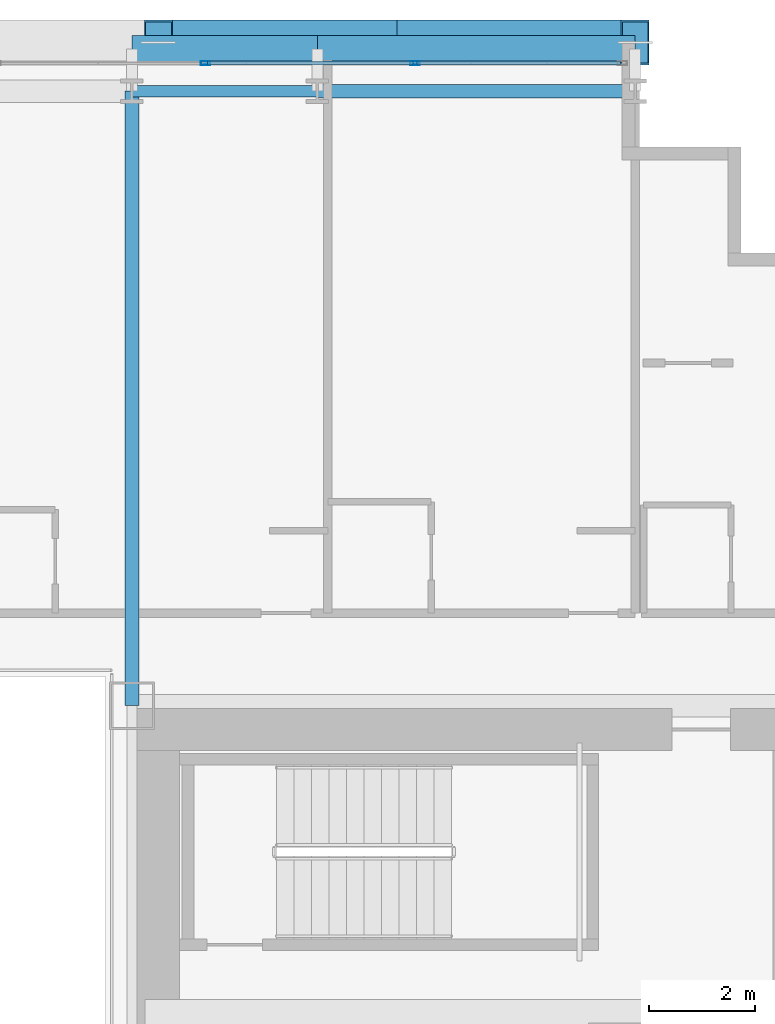
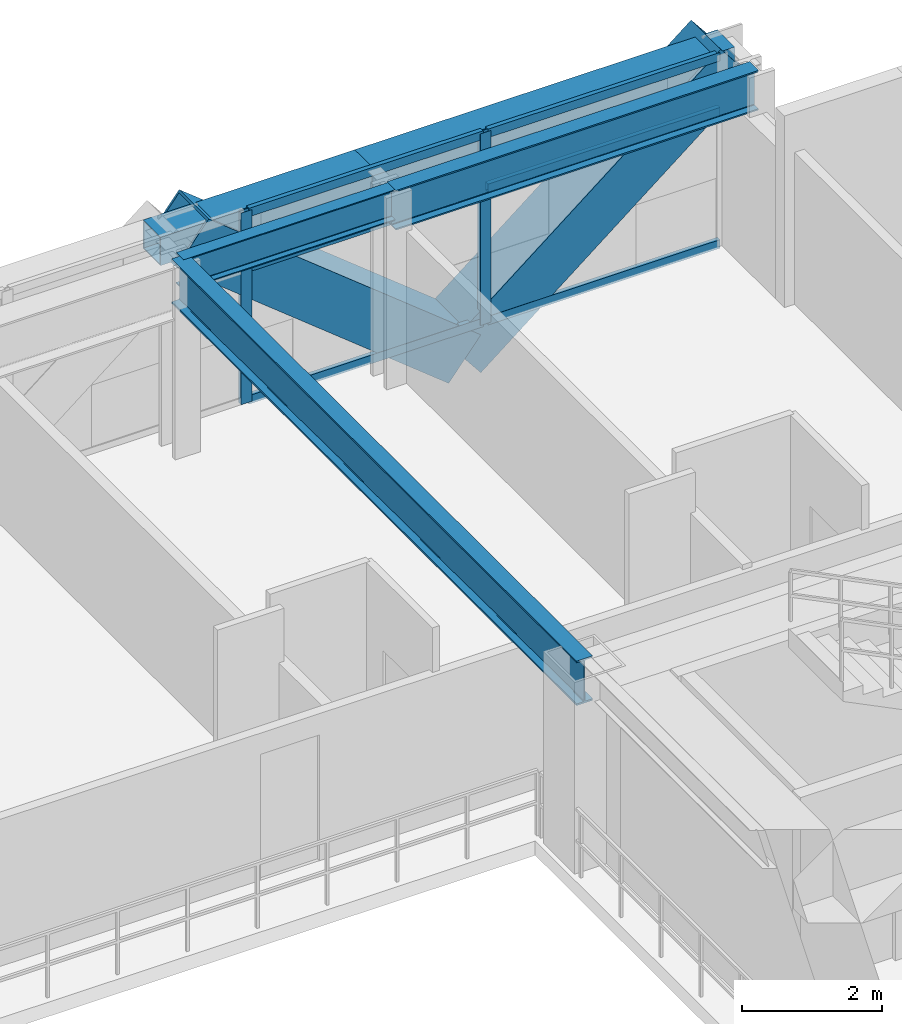
# One storey, part 21 of 38: 10 members, 5 beams, 1 element without a shape of its own.
"""IFC4 building model written with IfcOpenShell, lengths in metres."""

from ifc_helpers import new_model, si_unit, direction, frame, origin, origin_2d, place, context, subcontext, project, spatial, hollow_rectangle, i_section, extrude, source, transform, mapped, material, layer, layer_set, material_profile, profile_set, type_object, element, aggregate, save


model = new_model("IFC4")

# Units and contexts
model_context = context("Model", 3, precision=1e-05, world=origin(), true_north=direction((0.0, 1.0)))
body_context = subcontext(model_context, "Body", "Model", "MODEL_VIEW")
ifc_project = project(units=[si_unit("LENGTHUNIT", "METRE"), si_unit("AREAUNIT", "SQUARE_METRE"), si_unit("VOLUMEUNIT", "CUBIC_METRE"), si_unit("PLANEANGLEUNIT", "RADIAN"), si_unit("MASSUNIT", "GRAM", prefix="KILO")], contexts=[model_context])

# Site, building, storey
site_placement = place(None, origin())
site = spatial("IfcSite", under=ifc_project, at=site_placement, CompositionType="ELEMENT")
building_placement = place(site_placement, origin())
building = spatial("IfcBuilding", under=site, at=building_placement, Name="Ocotamira Hotel", CompositionType="ELEMENT")
storey_placement = place(building_placement, frame((0.0, 0.0, 60.0)))
storey = spatial("IfcBuildingStorey", under=building, at=storey_placement, Name="L14", CompositionType="ELEMENT", Elevation=60.0)

# Beams
ifc_material_1 = material(Name="Steel ASTM A992 Grade 50", Category="steel")
ifc_material_profile_1 = material_profile(ifc_material_1, i_section(OverallWidth=0.256103515625, OverallDepth=0.693115234375, WebThickness=0.014404296875, FlangeThickness=0.023681640625, FilletRadius=0.01611328125, at=origin_2d()), Name="W27X114")
ifc_profile_set_1 = profile_set([ifc_material_profile_1], Name="Steel ASTM A992 Grade 50")
beam_type_1 = type_object("IfcBeamType", Name="BM-PRIM-W27X114", PredefinedType="BEAM", material=ifc_profile_set_1)
shared_shape_1 = source(origin(), body_context, "Body", "SweptSolid", [
    extrude(i_section(OverallWidth=0.256103515625, OverallDepth=0.693115234375, WebThickness=0.014404296875, FlangeThickness=0.023681640625, FilletRadius=0.01611328125, at=origin_2d()), origin(), (0.0, 0.0, 1.0), 6.0),
])
beam_1_placement = place(storey_placement, frame((44.0, 49.050048828125, 3.00341796875), z_axis=(1.0, 0.0, 0.0), x_axis=(0.0, 1.0, 0.0)))
element("IfcBeam", 1, at=beam_1_placement, inside=storey, type_object=beam_type_1, Name="L14 Girder Y49.05 X44-50", PredefinedType="BEAM", context=body_context, shape_type="MappedRepresentation", body=[
    mapped(shared_shape_1, transform((0.0, 0.0, 0.0), scale=1.0)),
])
ifc_material_profile_2 = material_profile(ifc_material_1, i_section(OverallWidth=0.2099609375, OverallDepth=0.537109375, WebThickness=0.010986328125, FlangeThickness=0.017333984375, FilletRadius=0.012939453125, at=origin_2d()), Name="W21X68")
ifc_profile_set_2 = profile_set([ifc_material_profile_2], Name="Steel ASTM A992 Grade 50")
beam_type_2 = type_object("IfcBeamType", Name="BM-SEC-W21X68", PredefinedType="JOIST", material=ifc_profile_set_2)
shared_shape_2 = source(origin(), body_context, "Body", "SweptSolid", [
    extrude(i_section(OverallWidth=0.2099609375, OverallDepth=0.537109375, WebThickness=0.010986328125, FlangeThickness=0.017333984375, FilletRadius=0.012939453125, at=origin_2d()), origin(), (0.0, 0.0, 1.0), 3.5),
])
beam_2_placement = place(storey_placement, frame((40.5, 49.050048828125, 3.08154296875), z_axis=(1.0, 0.0, 0.0), x_axis=(0.0, 1.0, 0.0)))
element("IfcBeam", 2, at=beam_2_placement, inside=storey, type_object=beam_type_2, Name="L14 Girder Y49.05 X40.5-44", PredefinedType="JOIST", context=body_context, shape_type="MappedRepresentation", body=[
    mapped(shared_shape_2, transform((0.0, 0.0, 0.0), scale=1.0)),
])
ifc_material_profile_3 = material_profile(ifc_material_1, i_section(OverallWidth=0.26611328125, OverallDepth=0.779052734375, WebThickness=0.0166015625, FlangeThickness=0.030029296875, FilletRadius=0.01806640625, at=origin_2d()), Name="W30X148")
ifc_profile_set_3 = profile_set([ifc_material_profile_3], Name="Steel ASTM A992 Grade 50")
beam_type_3 = type_object("IfcBeamType", Name="BM-GIRD-W30X148", PredefinedType="BEAM", material=ifc_profile_set_3)
shared_shape_3 = source(origin(), body_context, "Body", "SweptSolid", [
    extrude(i_section(OverallWidth=0.26611328125, OverallDepth=0.779052734375, WebThickness=0.0166015625, FlangeThickness=0.030029296875, FilletRadius=0.01806640625, at=origin_2d()), origin(), (0.0, 0.0, 1.0), 11.60009765625),
])
beam_3_placement = place(storey_placement, frame((40.5, 37.449951171875, 2.96044921875), z_axis=(0.0, 1.0, 0.0), x_axis=(-1.0, 0.0, 0.0)))
element("IfcBeam", 3, at=beam_3_placement, inside=storey, type_object=beam_type_3, Name="L14 Beam X40.5 Y37.45-49.05", PredefinedType="BEAM", context=body_context, shape_type="MappedRepresentation", body=[
    mapped(shared_shape_3, transform((0.0, 0.0, 0.0), scale=1.0)),
])
ifc_material_2 = material(Name="Steel ASTM A500 Grade C", Category="steel")
ifc_material_profile_4 = material_profile(ifc_material_2, hollow_rectangle(XDim=0.5, YDim=0.5, WallThickness=0.02001953125, at=origin_2d()), Name="HSS500X500X20")
ifc_profile_set_4 = profile_set([ifc_material_profile_4], Name="Steel ASTM A500 Grade C")
beam_type_4 = type_object("IfcBeamType", Name="BM-SPAN-HSS500", PredefinedType="USERDEFINED", material=ifc_profile_set_4)
shared_shape_4 = source(origin(), body_context, "Body", "SweptSolid", [
    extrude(hollow_rectangle(XDim=0.5, YDim=0.5, WallThickness=0.02001953125, at=origin_2d()), origin(), (0.0, 0.0, 1.0), 6.0),
])
beam_4_placement = place(storey_placement, frame((44.0, 49.85009765625, 3.10009765625), z_axis=(1.0, 0.0, 0.0), x_axis=(0.0, 1.0, 0.0)))
element("IfcBeam", 4, at=beam_4_placement, inside=storey, type_object=beam_type_4, Name="L14 Edge Spandrel N X44-50", ObjectType="SPANDREL", PredefinedType="USERDEFINED", context=body_context, shape_type="MappedRepresentation", body=[
    mapped(shared_shape_4, transform((0.0, 0.0, 0.0), scale=1.0)),
])
shared_shape_5 = source(origin(), body_context, "Body", "SweptSolid", [
    extrude(hollow_rectangle(XDim=0.5, YDim=0.5, WallThickness=0.02001953125, at=origin_2d()), origin(), (0.0, 0.0, 1.0), 3.5),
])
beam_5_placement = place(storey_placement, frame((40.5, 49.85009765625, 3.10009765625), z_axis=(1.0, 0.0, 0.0), x_axis=(0.0, 1.0, 0.0)))
element("IfcBeam", 5, at=beam_5_placement, inside=storey, type_object=beam_type_4, Name="L14 Edge Spandrel N X40.5-44", ObjectType="SPANDREL", PredefinedType="USERDEFINED", context=body_context, shape_type="MappedRepresentation", body=[
    mapped(shared_shape_5, transform((0.0, 0.0, 0.0), scale=1.0)),
])

# Members
ifc_material_3 = material(Name="Pale-metal coated steel ASTM A913 Grade 65", Category="steel")
ifc_material_profile_5 = material_profile(ifc_material_3, hollow_rectangle(XDim=0.85009765625, YDim=0.85009765625, WallThickness=0.035888671875, at=origin_2d()), Name="BOX850X850X36")
ifc_profile_set_5 = profile_set([ifc_material_profile_5], Name="Pale-metal coated steel ASTM A913 Grade 65")
member_type_1 = type_object("IfcMemberType", Name="MEM-EXO-BOX850", PredefinedType="BRACE", material=ifc_profile_set_5)
shared_shape_6 = source(origin(), body_context, "Body", "SweptSolid", [
    extrude(hollow_rectangle(XDim=0.85009765625, YDim=0.85009765625, WallThickness=0.035888671875, at=origin_2d()), origin(), (0.0, 0.0, 1.0), 5.762939453125),
])
for number, where, z_axis, x_axis, name in (
    (6, (45.5, 49.969970703125, -0.5), (-0.780860543151, 0.0, 0.624705380279), (0.0, -1.0, 0.0), "L14 Exoskeleton Diagrid N3.1"),
    (7, (45.5, 49.969970703125, -0.5), (0.780860543151, 0.0, 0.624705380279), (0.0, 1.0, 0.0), "L14 Exoskeleton Diagrid N3.2"),
):
    element("IfcMember", number, at=place(storey_placement, frame(where, z_axis=z_axis, x_axis=x_axis)), inside=storey, type_object=member_type_1, Name=name, PredefinedType="BRACE", context=body_context, shape_type="MappedRepresentation", body=[
        mapped(shared_shape_6, transform((0.0, 0.0, 0.0), scale=1.0)),
    ])

# Curtain wall, members
ifc_material_4 = material(Name="Anodised pale-metal aluminium and solar glass", Category="aluminium")
ifc_layer = layer(ifc_material_4, 0.179931640625)
ifc_layer_set = layer_set([ifc_layer], Name="Anodised pale-metal aluminium and solar glass")
curtain_wall_type = type_object("IfcCurtainWallType", Name="CW-SYS2-Z1", PredefinedType="NOTDEFINED", material=ifc_layer_set)
curtain_wall_placement = place(storey_placement, origin())
curtain_wall = element("IfcCurtainWall", 8, at=curtain_wall_placement, inside=storey, type_object=curtain_wall_type, Name="L14 Curtain Wall CW-2 CW-L14-N", PredefinedType="NOTDEFINED")
ifc_material_5 = material(Name="Anodised pale-metal aluminium 6063-T6", Category="aluminium")
ifc_material_profile_6 = material_profile(ifc_material_5, hollow_rectangle(XDim=0.074951171875, YDim=0.14990234375, WallThickness=0.006103515625, at=origin_2d()), Name="HSS150X75X6")
ifc_profile_set_6 = profile_set([ifc_material_profile_6], Name="Anodised pale-metal aluminium 6063-T6")
member_type_2 = type_object("IfcMemberType", Name="CWT-150X75", PredefinedType="USERDEFINED", material=ifc_profile_set_6)
shared_shape_7 = source(origin(), body_context, "Body", "SweptSolid", [
    extrude(hollow_rectangle(XDim=0.074951171875, YDim=0.14990234375, WallThickness=0.006103515625, at=origin_2d()), origin(), (0.0, 0.0, 1.0), 3.83544921875),
])
member_1_placement = place(storey_placement, frame((45.884521484375, 49.580078125, 0.03759765625), z_axis=(1.0, 0.0, 0.0), x_axis=(0.0, 1.0, 0.0)))
member_1 = element("IfcMember", 9, at=member_1_placement, type_object=member_type_2, Name="CW-2 transom 9.1", ObjectType="TRANSOM", PredefinedType="USERDEFINED", context=body_context, shape_type="MappedRepresentation", body=[
    mapped(shared_shape_7, transform((0.0, 0.0, 0.0), scale=1.0)),
])
member_2_placement = place(storey_placement, frame((45.884521484375, 49.580078125, 2.35009765625), z_axis=(1.0, 0.0, 0.0), x_axis=(0.0, 1.0, 0.0)))
member_2 = element("IfcMember", 10, at=member_2_placement, type_object=member_type_2, Name="CW-2 transom 9.2", ObjectType="TRANSOM", PredefinedType="USERDEFINED", context=body_context, shape_type="MappedRepresentation", body=[
    mapped(shared_shape_7, transform((0.0, 0.0, 0.0), scale=1.0)),
])
member_3_placement = place(storey_placement, frame((45.884521484375, 49.580078125, 3.3125), z_axis=(1.0, 0.0, 0.0), x_axis=(0.0, 1.0, 0.0)))
member_3 = element("IfcMember", 11, at=member_3_placement, type_object=member_type_2, Name="CW-2 transom 9.3", ObjectType="TRANSOM", PredefinedType="USERDEFINED", context=body_context, shape_type="MappedRepresentation", body=[
    mapped(shared_shape_7, transform((0.0, 0.0, 0.0), scale=1.0)),
])
shared_shape_8 = source(origin(), body_context, "Body", "SweptSolid", [
    extrude(hollow_rectangle(XDim=0.074951171875, YDim=0.14990234375, WallThickness=0.006103515625, at=origin_2d()), origin(), (0.0, 0.0, 1.0), 3.87548828125),
])
member_4_placement = place(storey_placement, frame((41.928955078125, 49.580078125, 0.03759765625), z_axis=(1.0, 0.0, 0.0), x_axis=(0.0, 1.0, 0.0)))
member_4 = element("IfcMember", 12, at=member_4_placement, type_object=member_type_2, Name="CW-2 transom 8.1", ObjectType="TRANSOM", PredefinedType="USERDEFINED", context=body_context, shape_type="MappedRepresentation", body=[
    mapped(shared_shape_8, transform((0.0, 0.0, 0.0), scale=1.0)),
])
member_5_placement = place(storey_placement, frame((41.928955078125, 49.580078125, 2.35009765625), z_axis=(1.0, 0.0, 0.0), x_axis=(0.0, 1.0, 0.0)))
member_5 = element("IfcMember", 13, at=member_5_placement, type_object=member_type_2, Name="CW-2 transom 8.2", ObjectType="TRANSOM", PredefinedType="USERDEFINED", context=body_context, shape_type="MappedRepresentation", body=[
    mapped(shared_shape_8, transform((0.0, 0.0, 0.0), scale=1.0)),
])
member_6_placement = place(storey_placement, frame((41.928955078125, 49.580078125, 3.3125), z_axis=(1.0, 0.0, 0.0), x_axis=(0.0, 1.0, 0.0)))
member_6 = element("IfcMember", 14, at=member_6_placement, type_object=member_type_2, Name="CW-2 transom 8.3", ObjectType="TRANSOM", PredefinedType="USERDEFINED", context=body_context, shape_type="MappedRepresentation", body=[
    mapped(shared_shape_8, transform((0.0, 0.0, 0.0), scale=1.0)),
])
ifc_material_profile_7 = material_profile(ifc_material_5, hollow_rectangle(XDim=0.080078125, YDim=0.179931640625, WallThickness=0.006103515625, at=origin_2d()), Name="HSS180X80X6")
ifc_profile_set_7 = profile_set([ifc_material_profile_7], Name="Anodised pale-metal aluminium 6063-T6")
member_type_3 = type_object("IfcMemberType", Name="CWM-180X75", PredefinedType="MULLION", material=ifc_profile_set_7)
shared_shape_9 = source(origin(), body_context, "Body", "SweptSolid", [
    extrude(hollow_rectangle(XDim=0.080078125, YDim=0.179931640625, WallThickness=0.006103515625, at=origin_2d()), origin(), (0.0, 0.0, 1.0), 3.35009765625),
])
member_7_placement = place(storey_placement, frame((41.888916015625, 49.580078125, 0.0), z_axis=(0.0, 0.0, 1.0), x_axis=(0.0, 1.0, 0.0)))
member_7 = element("IfcMember", 15, at=member_7_placement, type_object=member_type_3, Name="CW-2 mullion 8", PredefinedType="MULLION", context=body_context, shape_type="MappedRepresentation", body=[
    mapped(shared_shape_9, transform((0.0, 0.0, 0.0), scale=1.0)),
])
member_8_placement = place(storey_placement, frame((45.844482421875, 49.580078125, 0.0), z_axis=(0.0, 0.0, 1.0), x_axis=(0.0, 1.0, 0.0)))
member_8 = element("IfcMember", 16, at=member_8_placement, type_object=member_type_3, Name="CW-2 mullion 9", PredefinedType="MULLION", context=body_context, shape_type="MappedRepresentation", body=[
    mapped(shared_shape_9, transform((0.0, 0.0, 0.0), scale=1.0)),
])
aggregate(curtain_wall, [member_7, member_8, member_4, member_5, member_6, member_1, member_2, member_3])

save(model, "model.ifc")
